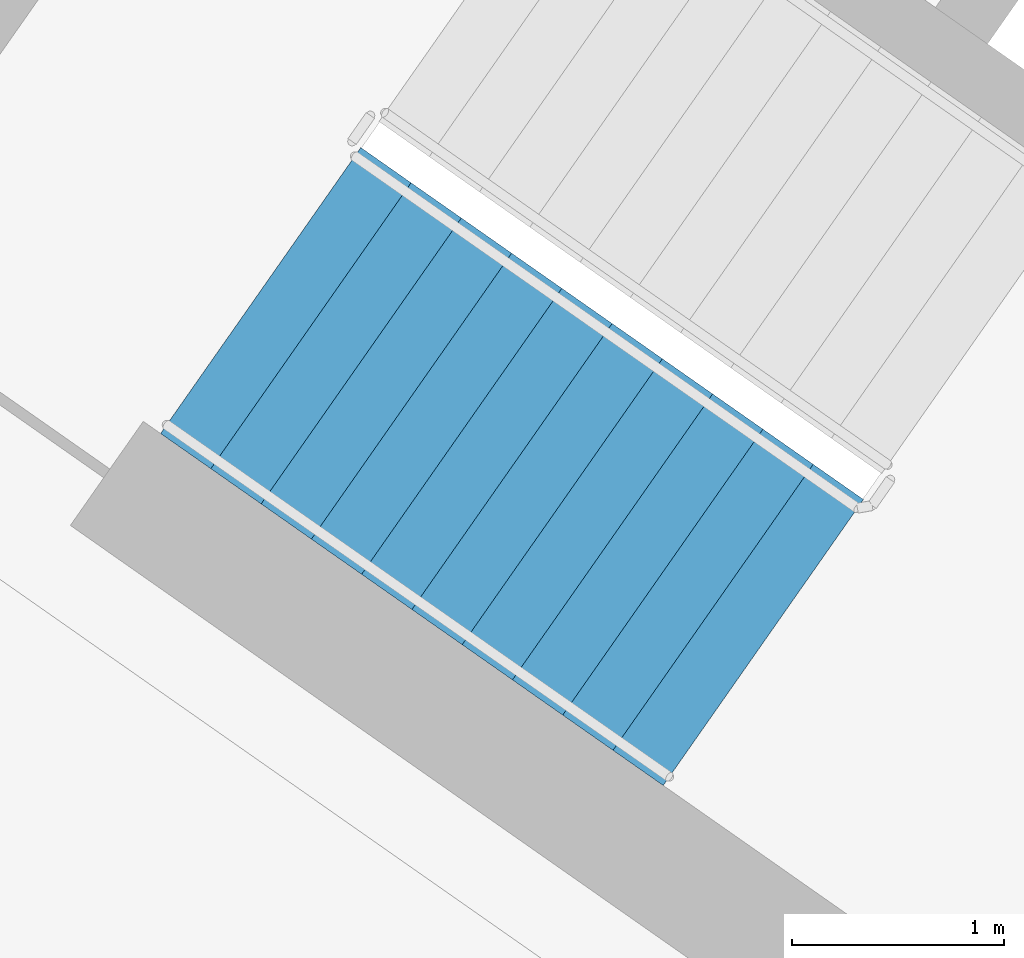
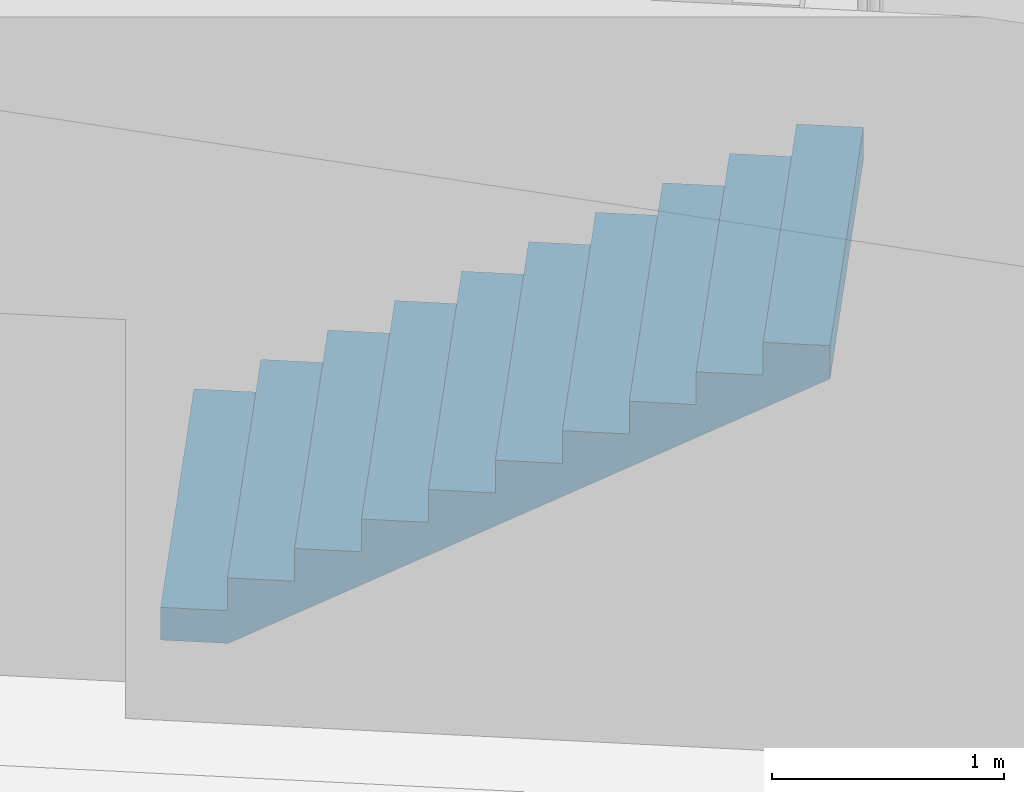
# One storey, part 9 of 29: 1 stair flight, 1 element without a shape of its own.
"""IFC4 building model written with IfcOpenShell, lengths in metres."""

from ifc_helpers import new_model, si_unit, direction, frame, origin, place, context, subcontext, project, spatial, faceted_brep, material, type_object, element, aggregate, save


model = new_model("IFC4")

# Units and contexts
model_context = context("Model", 3, precision=1e-05, world=origin(), true_north=direction((0.0, 1.0)))
body_context = subcontext(model_context, "Body", "Model", "MODEL_VIEW")
ifc_project = project(units=[si_unit("LENGTHUNIT", "METRE"), si_unit("AREAUNIT", "SQUARE_METRE"), si_unit("VOLUMEUNIT", "CUBIC_METRE"), si_unit("PLANEANGLEUNIT", "RADIAN"), si_unit("MASSUNIT", "GRAM", prefix="KILO")], contexts=[model_context])

# Site, building, storey
site_placement = place(None, origin())
site = spatial("IfcSite", under=ifc_project, at=site_placement, CompositionType="ELEMENT")
building_placement = place(site_placement, origin())
building = spatial("IfcBuilding", under=site, at=building_placement, Name="Qamariyya Broadcast Tower", CompositionType="ELEMENT")
storey_placement = place(building_placement, frame((0.0, 0.0, 261.89990234375)))
storey = spatial("IfcBuildingStorey", under=building, at=storey_placement, Name="L63", CompositionType="ELEMENT", Elevation=261.89990234375)

# Stair, stair flight
ifc_material = material(Name="Concrete C50/60", Category="concrete")
stair_type = type_object("IfcStairType", Name="Exit stair 22 risers of 173 mm", PredefinedType="HALF_TURN_STAIR", material=ifc_material)
stair_placement = place(storey_placement, origin())
stair = element("IfcStair", 1, at=stair_placement, inside=storey, type_object=stair_type, Name="L63 Stair W1", PredefinedType="HALF_TURN_STAIR")
stair_flight_type = type_object("IfcStairFlightType", Name="Exit stair flight 11 risers of 173 mm", PredefinedType="STRAIGHT", material=ifc_material)
stair_flight_placement = place(storey_placement, frame((-47.06884765625, -56.982666015625, 0.0), z_axis=(0.0, 0.0, 1.0), x_axis=(0.819152044289, -0.573576436351, 0.0)))
stair_flight = element("IfcStairFlight", 2, at=stair_flight_placement, type_object=stair_flight_type, Name="ST-W1 flight 1", NumberOfRisers=11, NumberOfTreads=10, PredefinedType="STRAIGHT", RiserHeight=0.172727273, TreadLength=0.29, context=body_context, shape_type="Brep", body=[
    faceted_brep([(0.0, 0.824951171875, 0.0), (0.0, 0.824951171875, 0.172607421875), (0.2900390625, 0.824951171875, 0.172607421875), (0.2900390625, 0.824951171875, 0.345458984375), (0.580078125, 0.824951171875, 0.345458984375), (0.580078125, 0.824951171875, 0.51806640625), (0.8701171875, 0.824951171875, 0.51806640625), (0.8701171875, 0.824951171875, 0.69091796875), (1.159912109375, 0.824951171875, 0.69091796875), (1.159912109375, 0.824951171875, 0.863525390625), (1.449951171875, 0.824951171875, 0.863525390625), (1.449951171875, 0.824951171875, 1.036376953125), (1.739990234375, 0.824951171875, 1.036376953125), (1.739990234375, 0.824951171875, 1.208984375), (2.030029296875, 0.824951171875, 1.208984375), (2.030029296875, 0.824951171875, 1.3818359375), (2.320068359375, 0.824951171875, 1.3818359375), (2.320068359375, 0.824951171875, 1.554443359375), (2.610107421875, 0.824951171875, 1.554443359375), (2.610107421875, 0.824951171875, 1.727294921875), (2.89990234375, 0.824951171875, 1.727294921875), (2.89990234375, 0.824951171875, 1.552734375), (0.29296875, 0.824951171875, 0.0), (0.29296875, -0.824951171875, 0.0), (2.89990234375, -0.824951171875, 1.552734375), (2.89990234375, -0.824951171875, 1.727294921875), (2.610107421875, -0.824951171875, 1.727294921875), (2.610107421875, -0.824951171875, 1.554443359375), (2.320068359375, -0.824951171875, 1.554443359375), (2.320068359375, -0.824951171875, 1.3818359375), (2.030029296875, -0.824951171875, 1.3818359375), (2.030029296875, -0.824951171875, 1.208984375), (1.739990234375, -0.824951171875, 1.208984375), (1.739990234375, -0.824951171875, 1.036376953125), (1.449951171875, -0.824951171875, 1.036376953125), (1.449951171875, -0.824951171875, 0.863525390625), (1.159912109375, -0.824951171875, 0.863525390625), (1.159912109375, -0.824951171875, 0.69091796875), (0.8701171875, -0.824951171875, 0.69091796875), (0.8701171875, -0.824951171875, 0.51806640625), (0.580078125, -0.824951171875, 0.51806640625), (0.580078125, -0.824951171875, 0.345458984375), (0.2900390625, -0.824951171875, 0.345458984375), (0.2900390625, -0.824951171875, 0.172607421875), (0.0, -0.824951171875, 0.172607421875), (0.0, -0.824951171875, 0.0), (0.0, 0.10009765625, 0.0), (0.0, 0.086669921875, 0.0), (0.0, 0.0732421875, 0.0), (0.0, 0.06005859375, 0.0), (0.0, 0.046630859375, 0.0), (0.0, 0.033447265625, 0.0), (0.0, 0.02001953125, 0.0), (0.0, 0.006591796875, 0.0), (0.0, -0.006591796875, 0.0), (0.0, -0.02001953125, 0.0), (0.0, -0.033447265625, 0.0), (0.0, -0.046630859375, 0.0), (0.0, -0.06005859375, 0.0), (0.0, -0.0732421875, 0.0), (0.0, -0.086669921875, 0.0), (0.0, -0.10009765625, 0.0), (0.0, -0.10009765625, 0.172607421875), (0.0, -0.086669921875, 0.172607421875), (0.0, -0.0732421875, 0.172607421875), (0.0, -0.06005859375, 0.172607421875), (0.0, -0.046630859375, 0.172607421875), (0.0, -0.033447265625, 0.172607421875), (0.0, -0.02001953125, 0.172607421875), (0.0, -0.006591796875, 0.172607421875), (0.0, 0.006591796875, 0.172607421875), (0.0, 0.02001953125, 0.172607421875), (0.0, 0.033447265625, 0.172607421875), (0.0, 0.046630859375, 0.172607421875), (0.0, 0.06005859375, 0.172607421875), (0.0, 0.0732421875, 0.172607421875), (0.0, 0.086669921875, 0.172607421875), (0.0, 0.10009765625, 0.172607421875), (0.2900390625, -0.10009765625, 0.172607421875), (0.2900390625, -0.086669921875, 0.172607421875), (0.2900390625, -0.0732421875, 0.172607421875), (0.2900390625, -0.06005859375, 0.172607421875), (0.2900390625, -0.046630859375, 0.172607421875), (0.2900390625, -0.033447265625, 0.172607421875), (0.2900390625, -0.02001953125, 0.172607421875), (0.2900390625, -0.006591796875, 0.172607421875), (0.2900390625, 0.006591796875, 0.172607421875), (0.2900390625, 0.02001953125, 0.172607421875), (0.2900390625, 0.033447265625, 0.172607421875), (0.2900390625, 0.046630859375, 0.172607421875), (0.2900390625, 0.06005859375, 0.172607421875), (0.2900390625, 0.0732421875, 0.172607421875), (0.2900390625, 0.086669921875, 0.172607421875), (0.2900390625, 0.10009765625, 0.172607421875), (0.2900390625, -0.10009765625, 0.345458984375), (0.2900390625, -0.086669921875, 0.345458984375), (0.2900390625, -0.0732421875, 0.345458984375), (0.2900390625, -0.06005859375, 0.345458984375), (0.2900390625, -0.046630859375, 0.345458984375), (0.2900390625, -0.033447265625, 0.345458984375), (0.2900390625, -0.02001953125, 0.345458984375), (0.2900390625, -0.006591796875, 0.345458984375), (0.2900390625, 0.006591796875, 0.345458984375), (0.2900390625, 0.02001953125, 0.345458984375), (0.2900390625, 0.033447265625, 0.345458984375), (0.2900390625, 0.046630859375, 0.345458984375), (0.2900390625, 0.06005859375, 0.345458984375), (0.2900390625, 0.0732421875, 0.345458984375), (0.2900390625, 0.086669921875, 0.345458984375), (0.2900390625, 0.10009765625, 0.345458984375), (0.580078125, -0.10009765625, 0.345458984375), (0.580078125, -0.086669921875, 0.345458984375), (0.580078125, -0.0732421875, 0.345458984375), (0.580078125, -0.06005859375, 0.345458984375), (0.580078125, -0.046630859375, 0.345458984375), (0.580078125, -0.033447265625, 0.345458984375), (0.580078125, -0.02001953125, 0.345458984375), (0.580078125, -0.006591796875, 0.345458984375), (0.580078125, 0.006591796875, 0.345458984375), (0.580078125, 0.02001953125, 0.345458984375), (0.580078125, 0.033447265625, 0.345458984375), (0.580078125, 0.046630859375, 0.345458984375), (0.580078125, 0.06005859375, 0.345458984375), (0.580078125, 0.0732421875, 0.345458984375), (0.580078125, 0.086669921875, 0.345458984375), (0.580078125, 0.10009765625, 0.345458984375), (0.580078125, -0.10009765625, 0.51806640625), (0.580078125, -0.086669921875, 0.51806640625), (0.580078125, -0.0732421875, 0.51806640625), (0.580078125, -0.06005859375, 0.51806640625), (0.580078125, -0.046630859375, 0.51806640625), (0.580078125, -0.033447265625, 0.51806640625), (0.580078125, -0.02001953125, 0.51806640625), (0.580078125, -0.006591796875, 0.51806640625), (0.580078125, 0.006591796875, 0.51806640625), (0.580078125, 0.02001953125, 0.51806640625), (0.580078125, 0.033447265625, 0.51806640625), (0.580078125, 0.046630859375, 0.51806640625), (0.580078125, 0.06005859375, 0.51806640625), (0.580078125, 0.0732421875, 0.51806640625), (0.580078125, 0.086669921875, 0.51806640625), (0.580078125, 0.10009765625, 0.51806640625), (0.8701171875, -0.10009765625, 0.51806640625), (0.8701171875, -0.086669921875, 0.51806640625), (0.8701171875, -0.0732421875, 0.51806640625), (0.8701171875, -0.06005859375, 0.51806640625), (0.8701171875, -0.046630859375, 0.51806640625), (0.8701171875, -0.033447265625, 0.51806640625), (0.8701171875, -0.02001953125, 0.51806640625), (0.8701171875, -0.006591796875, 0.51806640625), (0.8701171875, 0.006591796875, 0.51806640625), (0.8701171875, 0.02001953125, 0.51806640625), (0.8701171875, 0.033447265625, 0.51806640625), (0.8701171875, 0.046630859375, 0.51806640625), (0.8701171875, 0.06005859375, 0.51806640625), (0.8701171875, 0.0732421875, 0.51806640625), (0.8701171875, 0.086669921875, 0.51806640625), (0.8701171875, 0.10009765625, 0.51806640625), (0.8701171875, -0.10009765625, 0.69091796875), (0.8701171875, -0.086669921875, 0.69091796875), (0.8701171875, -0.0732421875, 0.69091796875), (0.8701171875, -0.06005859375, 0.69091796875), (0.8701171875, -0.046630859375, 0.69091796875), (0.8701171875, -0.033447265625, 0.69091796875), (0.8701171875, -0.02001953125, 0.69091796875), (0.8701171875, -0.006591796875, 0.69091796875), (0.8701171875, 0.006591796875, 0.69091796875), (0.8701171875, 0.02001953125, 0.69091796875), (0.8701171875, 0.033447265625, 0.69091796875), (0.8701171875, 0.046630859375, 0.69091796875), (0.8701171875, 0.06005859375, 0.69091796875), (0.8701171875, 0.0732421875, 0.69091796875), (0.8701171875, 0.086669921875, 0.69091796875), (0.8701171875, 0.10009765625, 0.69091796875), (1.159912109375, -0.10009765625, 0.69091796875), (1.159912109375, -0.086669921875, 0.69091796875), (1.159912109375, -0.0732421875, 0.69091796875), (1.159912109375, -0.06005859375, 0.69091796875), (1.159912109375, -0.046630859375, 0.69091796875), (1.159912109375, -0.033447265625, 0.69091796875), (1.159912109375, -0.02001953125, 0.69091796875), (1.159912109375, -0.006591796875, 0.69091796875), (1.159912109375, 0.006591796875, 0.69091796875), (1.159912109375, 0.02001953125, 0.69091796875), (1.159912109375, 0.033447265625, 0.69091796875), (1.159912109375, 0.046630859375, 0.69091796875), (1.159912109375, 0.06005859375, 0.69091796875), (1.159912109375, 0.0732421875, 0.69091796875), (1.159912109375, 0.086669921875, 0.69091796875), (1.159912109375, 0.10009765625, 0.69091796875), (1.159912109375, -0.10009765625, 0.863525390625), (1.159912109375, -0.086669921875, 0.863525390625), (1.159912109375, -0.0732421875, 0.863525390625), (1.159912109375, -0.06005859375, 0.863525390625), (1.159912109375, -0.046630859375, 0.863525390625), (1.159912109375, -0.033447265625, 0.863525390625), (1.159912109375, -0.02001953125, 0.863525390625), (1.159912109375, -0.006591796875, 0.863525390625), (1.159912109375, 0.006591796875, 0.863525390625), (1.159912109375, 0.02001953125, 0.863525390625), (1.159912109375, 0.033447265625, 0.863525390625), (1.159912109375, 0.046630859375, 0.863525390625), (1.159912109375, 0.06005859375, 0.863525390625), (1.159912109375, 0.0732421875, 0.863525390625), (1.159912109375, 0.086669921875, 0.863525390625), (1.159912109375, 0.10009765625, 0.863525390625), (1.449951171875, -0.10009765625, 0.863525390625), (1.449951171875, -0.086669921875, 0.863525390625), (1.449951171875, -0.0732421875, 0.863525390625), (1.449951171875, -0.06005859375, 0.863525390625), (1.449951171875, -0.046630859375, 0.863525390625), (1.449951171875, -0.033447265625, 0.863525390625), (1.449951171875, -0.02001953125, 0.863525390625), (1.449951171875, -0.006591796875, 0.863525390625), (1.449951171875, 0.006591796875, 0.863525390625), (1.449951171875, 0.02001953125, 0.863525390625), (1.449951171875, 0.033447265625, 0.863525390625), (1.449951171875, 0.046630859375, 0.863525390625), (1.449951171875, 0.06005859375, 0.863525390625), (1.449951171875, 0.0732421875, 0.863525390625), (1.449951171875, 0.086669921875, 0.863525390625), (1.449951171875, 0.10009765625, 0.863525390625), (1.449951171875, -0.10009765625, 1.036376953125), (1.449951171875, -0.086669921875, 1.036376953125), (1.449951171875, -0.0732421875, 1.036376953125), (1.449951171875, -0.06005859375, 1.036376953125), (1.449951171875, -0.046630859375, 1.036376953125), (1.449951171875, -0.033447265625, 1.036376953125), (1.449951171875, -0.02001953125, 1.036376953125), (1.449951171875, -0.006591796875, 1.036376953125), (1.449951171875, 0.006591796875, 1.036376953125), (1.449951171875, 0.02001953125, 1.036376953125), (1.449951171875, 0.033447265625, 1.036376953125), (1.449951171875, 0.046630859375, 1.036376953125), (1.449951171875, 0.06005859375, 1.036376953125), (1.449951171875, 0.0732421875, 1.036376953125), (1.449951171875, 0.086669921875, 1.036376953125), (1.449951171875, 0.10009765625, 1.036376953125), (1.739990234375, -0.10009765625, 1.036376953125), (1.739990234375, -0.086669921875, 1.036376953125), (1.739990234375, -0.0732421875, 1.036376953125), (1.739990234375, -0.06005859375, 1.036376953125), (1.739990234375, -0.046630859375, 1.036376953125), (1.739990234375, -0.033447265625, 1.036376953125), (1.739990234375, -0.02001953125, 1.036376953125), (1.739990234375, -0.006591796875, 1.036376953125), (1.739990234375, 0.006591796875, 1.036376953125), (1.739990234375, 0.02001953125, 1.036376953125), (1.739990234375, 0.033447265625, 1.036376953125), (1.739990234375, 0.046630859375, 1.036376953125), (1.739990234375, 0.06005859375, 1.036376953125), (1.739990234375, 0.0732421875, 1.036376953125), (1.739990234375, 0.086669921875, 1.036376953125), (1.739990234375, 0.10009765625, 1.036376953125), (1.739990234375, -0.10009765625, 1.208984375), (1.739990234375, -0.086669921875, 1.208984375), (1.739990234375, -0.0732421875, 1.208984375), (1.739990234375, -0.06005859375, 1.208984375), (1.739990234375, -0.046630859375, 1.208984375), (1.739990234375, -0.033447265625, 1.208984375), (1.739990234375, -0.02001953125, 1.208984375), (1.739990234375, -0.006591796875, 1.208984375), (1.739990234375, 0.006591796875, 1.208984375), (1.739990234375, 0.02001953125, 1.208984375), (1.739990234375, 0.033447265625, 1.208984375), (1.739990234375, 0.046630859375, 1.208984375), (1.739990234375, 0.06005859375, 1.208984375), (1.739990234375, 0.0732421875, 1.208984375), (1.739990234375, 0.086669921875, 1.208984375), (1.739990234375, 0.10009765625, 1.208984375), (2.030029296875, -0.10009765625, 1.208984375), (2.030029296875, -0.086669921875, 1.208984375), (2.030029296875, -0.0732421875, 1.208984375), (2.030029296875, -0.06005859375, 1.208984375), (2.030029296875, -0.046630859375, 1.208984375), (2.030029296875, -0.033447265625, 1.208984375), (2.030029296875, -0.02001953125, 1.208984375), (2.030029296875, -0.006591796875, 1.208984375), (2.030029296875, 0.006591796875, 1.208984375), (2.030029296875, 0.02001953125, 1.208984375), (2.030029296875, 0.033447265625, 1.208984375), (2.030029296875, 0.046630859375, 1.208984375), (2.030029296875, 0.06005859375, 1.208984375), (2.030029296875, 0.0732421875, 1.208984375), (2.030029296875, 0.086669921875, 1.208984375), (2.030029296875, 0.10009765625, 1.208984375), (2.030029296875, -0.10009765625, 1.3818359375), (2.030029296875, -0.086669921875, 1.3818359375), (2.030029296875, -0.0732421875, 1.3818359375), (2.030029296875, -0.06005859375, 1.3818359375), (2.030029296875, -0.046630859375, 1.3818359375), (2.030029296875, -0.033447265625, 1.3818359375), (2.030029296875, -0.02001953125, 1.3818359375), (2.030029296875, -0.006591796875, 1.3818359375), (2.030029296875, 0.006591796875, 1.3818359375), (2.030029296875, 0.02001953125, 1.3818359375), (2.030029296875, 0.033447265625, 1.3818359375), (2.030029296875, 0.046630859375, 1.3818359375), (2.030029296875, 0.06005859375, 1.3818359375), (2.030029296875, 0.0732421875, 1.3818359375), (2.030029296875, 0.086669921875, 1.3818359375), (2.030029296875, 0.10009765625, 1.3818359375), (2.320068359375, -0.10009765625, 1.3818359375), (2.320068359375, -0.086669921875, 1.3818359375), (2.320068359375, -0.0732421875, 1.3818359375), (2.320068359375, -0.06005859375, 1.3818359375), (2.320068359375, -0.046630859375, 1.3818359375), (2.320068359375, -0.033447265625, 1.3818359375), (2.320068359375, -0.02001953125, 1.3818359375), (2.320068359375, -0.006591796875, 1.3818359375), (2.320068359375, 0.006591796875, 1.3818359375), (2.320068359375, 0.02001953125, 1.3818359375), (2.320068359375, 0.033447265625, 1.3818359375), (2.320068359375, 0.046630859375, 1.3818359375), (2.320068359375, 0.06005859375, 1.3818359375), (2.320068359375, 0.0732421875, 1.3818359375), (2.320068359375, 0.086669921875, 1.3818359375), (2.320068359375, 0.10009765625, 1.3818359375), (2.320068359375, -0.10009765625, 1.554443359375), (2.320068359375, -0.086669921875, 1.554443359375), (2.320068359375, -0.0732421875, 1.554443359375), (2.320068359375, -0.06005859375, 1.554443359375), (2.320068359375, -0.046630859375, 1.554443359375), (2.320068359375, -0.033447265625, 1.554443359375), (2.320068359375, -0.02001953125, 1.554443359375), (2.320068359375, -0.006591796875, 1.554443359375), (2.320068359375, 0.006591796875, 1.554443359375), (2.320068359375, 0.02001953125, 1.554443359375), (2.320068359375, 0.033447265625, 1.554443359375), (2.320068359375, 0.046630859375, 1.554443359375), (2.320068359375, 0.06005859375, 1.554443359375), (2.320068359375, 0.0732421875, 1.554443359375), (2.320068359375, 0.086669921875, 1.554443359375), (2.320068359375, 0.10009765625, 1.554443359375), (2.610107421875, -0.10009765625, 1.554443359375), (2.610107421875, -0.086669921875, 1.554443359375), (2.610107421875, -0.0732421875, 1.554443359375), (2.610107421875, -0.06005859375, 1.554443359375), (2.610107421875, -0.046630859375, 1.554443359375), (2.610107421875, -0.033447265625, 1.554443359375), (2.610107421875, -0.02001953125, 1.554443359375), (2.610107421875, -0.006591796875, 1.554443359375), (2.610107421875, 0.006591796875, 1.554443359375), (2.610107421875, 0.02001953125, 1.554443359375), (2.610107421875, 0.033447265625, 1.554443359375), (2.610107421875, 0.046630859375, 1.554443359375), (2.610107421875, 0.06005859375, 1.554443359375), (2.610107421875, 0.0732421875, 1.554443359375), (2.610107421875, 0.086669921875, 1.554443359375), (2.610107421875, 0.10009765625, 1.554443359375), (2.610107421875, -0.10009765625, 1.727294921875), (2.610107421875, -0.086669921875, 1.727294921875), (2.610107421875, -0.0732421875, 1.727294921875), (2.610107421875, -0.06005859375, 1.727294921875), (2.610107421875, -0.046630859375, 1.727294921875), (2.610107421875, -0.033447265625, 1.727294921875), (2.610107421875, -0.02001953125, 1.727294921875), (2.610107421875, -0.006591796875, 1.727294921875), (2.610107421875, 0.006591796875, 1.727294921875), (2.610107421875, 0.02001953125, 1.727294921875), (2.610107421875, 0.033447265625, 1.727294921875), (2.610107421875, 0.046630859375, 1.727294921875), (2.610107421875, 0.06005859375, 1.727294921875), (2.610107421875, 0.0732421875, 1.727294921875), (2.610107421875, 0.086669921875, 1.727294921875), (2.610107421875, 0.10009765625, 1.727294921875), (2.89990234375, -0.10009765625, 1.727294921875), (2.89990234375, -0.086669921875, 1.727294921875), (2.89990234375, -0.0732421875, 1.727294921875), (2.89990234375, -0.06005859375, 1.727294921875), (2.89990234375, -0.046630859375, 1.727294921875), (2.89990234375, -0.033447265625, 1.727294921875), (2.89990234375, -0.02001953125, 1.727294921875), (2.89990234375, -0.006591796875, 1.727294921875), (2.89990234375, 0.006591796875, 1.727294921875), (2.89990234375, 0.02001953125, 1.727294921875), (2.89990234375, 0.033447265625, 1.727294921875), (2.89990234375, 0.046630859375, 1.727294921875), (2.89990234375, 0.06005859375, 1.727294921875), (2.89990234375, 0.0732421875, 1.727294921875), (2.89990234375, 0.086669921875, 1.727294921875), (2.89990234375, 0.10009765625, 1.727294921875), (2.89990234375, -0.10009765625, 1.552734375), (2.89990234375, -0.086669921875, 1.552734375), (2.89990234375, -0.0732421875, 1.552734375), (2.89990234375, -0.06005859375, 1.552734375), (2.89990234375, -0.046630859375, 1.552734375), (2.89990234375, -0.033447265625, 1.552734375), (2.89990234375, -0.02001953125, 1.552734375), (2.89990234375, -0.006591796875, 1.552734375), (2.89990234375, 0.006591796875, 1.552734375), (2.89990234375, 0.02001953125, 1.552734375), (2.89990234375, 0.033447265625, 1.552734375), (2.89990234375, 0.046630859375, 1.552734375), (2.89990234375, 0.06005859375, 1.552734375), (2.89990234375, 0.0732421875, 1.552734375), (2.89990234375, 0.086669921875, 1.552734375), (2.89990234375, 0.10009765625, 1.552734375), (0.29296875, -0.10009765625, 0.0), (0.29296875, -0.086669921875, 0.0), (0.29296875, -0.0732421875, 0.0), (0.29296875, -0.06005859375, 0.0), (0.29296875, -0.046630859375, 0.0), (0.29296875, -0.033447265625, 0.0), (0.29296875, -0.02001953125, 0.0), (0.29296875, -0.006591796875, 0.0), (0.29296875, 0.006591796875, 0.0), (0.29296875, 0.02001953125, 0.0), (0.29296875, 0.033447265625, 0.0), (0.29296875, 0.046630859375, 0.0), (0.29296875, 0.06005859375, 0.0), (0.29296875, 0.0732421875, 0.0), (0.29296875, 0.086669921875, 0.0), (0.29296875, 0.10009765625, 0.0)], [[[0, 1, 2, 3, 4, 5, 6, 7, 8, 9, 10, 11, 12, 13, 14, 15, 16, 17, 18, 19, 20, 21, 22]], [[23, 24, 25, 26, 27, 28, 29, 30, 31, 32, 33, 34, 35, 36, 37, 38, 39, 40, 41, 42, 43, 44, 45]], [[0, 46, 47, 48, 49, 50, 51, 52, 53, 54, 55, 56, 57, 58, 59, 60, 61, 45, 44, 62, 63, 64, 65, 66, 67, 68, 69, 70, 71, 72, 73, 74, 75, 76, 77, 1]], [[1, 77, 76, 75, 74, 73, 72, 71, 70, 69, 68, 67, 66, 65, 64, 63, 62, 44, 43, 78, 79, 80, 81, 82, 83, 84, 85, 86, 87, 88, 89, 90, 91, 92, 93, 2]], [[2, 93, 92, 91, 90, 89, 88, 87, 86, 85, 84, 83, 82, 81, 80, 79, 78, 43, 42, 94, 95, 96, 97, 98, 99, 100, 101, 102, 103, 104, 105, 106, 107, 108, 109, 3]], [[3, 109, 108, 107, 106, 105, 104, 103, 102, 101, 100, 99, 98, 97, 96, 95, 94, 42, 41, 110, 111, 112, 113, 114, 115, 116, 117, 118, 119, 120, 121, 122, 123, 124, 125, 4]], [[4, 125, 124, 123, 122, 121, 120, 119, 118, 117, 116, 115, 114, 113, 112, 111, 110, 41, 40, 126, 127, 128, 129, 130, 131, 132, 133, 134, 135, 136, 137, 138, 139, 140, 141, 5]], [[5, 141, 140, 139, 138, 137, 136, 135, 134, 133, 132, 131, 130, 129, 128, 127, 126, 40, 39, 142, 143, 144, 145, 146, 147, 148, 149, 150, 151, 152, 153, 154, 155, 156, 157, 6]], [[6, 157, 156, 155, 154, 153, 152, 151, 150, 149, 148, 147, 146, 145, 144, 143, 142, 39, 38, 158, 159, 160, 161, 162, 163, 164, 165, 166, 167, 168, 169, 170, 171, 172, 173, 7]], [[7, 173, 172, 171, 170, 169, 168, 167, 166, 165, 164, 163, 162, 161, 160, 159, 158, 38, 37, 174, 175, 176, 177, 178, 179, 180, 181, 182, 183, 184, 185, 186, 187, 188, 189, 8]], [[8, 189, 188, 187, 186, 185, 184, 183, 182, 181, 180, 179, 178, 177, 176, 175, 174, 37, 36, 190, 191, 192, 193, 194, 195, 196, 197, 198, 199, 200, 201, 202, 203, 204, 205, 9]], [[9, 205, 204, 203, 202, 201, 200, 199, 198, 197, 196, 195, 194, 193, 192, 191, 190, 36, 35, 206, 207, 208, 209, 210, 211, 212, 213, 214, 215, 216, 217, 218, 219, 220, 221, 10]], [[10, 221, 220, 219, 218, 217, 216, 215, 214, 213, 212, 211, 210, 209, 208, 207, 206, 35, 34, 222, 223, 224, 225, 226, 227, 228, 229, 230, 231, 232, 233, 234, 235, 236, 237, 11]], [[11, 237, 236, 235, 234, 233, 232, 231, 230, 229, 228, 227, 226, 225, 224, 223, 222, 34, 33, 238, 239, 240, 241, 242, 243, 244, 245, 246, 247, 248, 249, 250, 251, 252, 253, 12]], [[12, 253, 252, 251, 250, 249, 248, 247, 246, 245, 244, 243, 242, 241, 240, 239, 238, 33, 32, 254, 255, 256, 257, 258, 259, 260, 261, 262, 263, 264, 265, 266, 267, 268, 269, 13]], [[13, 269, 268, 267, 266, 265, 264, 263, 262, 261, 260, 259, 258, 257, 256, 255, 254, 32, 31, 270, 271, 272, 273, 274, 275, 276, 277, 278, 279, 280, 281, 282, 283, 284, 285, 14]], [[14, 285, 284, 283, 282, 281, 280, 279, 278, 277, 276, 275, 274, 273, 272, 271, 270, 31, 30, 286, 287, 288, 289, 290, 291, 292, 293, 294, 295, 296, 297, 298, 299, 300, 301, 15]], [[15, 301, 300, 299, 298, 297, 296, 295, 294, 293, 292, 291, 290, 289, 288, 287, 286, 30, 29, 302, 303, 304, 305, 306, 307, 308, 309, 310, 311, 312, 313, 314, 315, 316, 317, 16]], [[16, 317, 316, 315, 314, 313, 312, 311, 310, 309, 308, 307, 306, 305, 304, 303, 302, 29, 28, 318, 319, 320, 321, 322, 323, 324, 325, 326, 327, 328, 329, 330, 331, 332, 333, 17]], [[17, 333, 332, 331, 330, 329, 328, 327, 326, 325, 324, 323, 322, 321, 320, 319, 318, 28, 27, 334, 335, 336, 337, 338, 339, 340, 341, 342, 343, 344, 345, 346, 347, 348, 349, 18]], [[18, 349, 348, 347, 346, 345, 344, 343, 342, 341, 340, 339, 338, 337, 336, 335, 334, 27, 26, 350, 351, 352, 353, 354, 355, 356, 357, 358, 359, 360, 361, 362, 363, 364, 365, 19]], [[19, 365, 364, 363, 362, 361, 360, 359, 358, 357, 356, 355, 354, 353, 352, 351, 350, 26, 25, 366, 367, 368, 369, 370, 371, 372, 373, 374, 375, 376, 377, 378, 379, 380, 381, 20]], [[20, 381, 380, 379, 378, 377, 376, 375, 374, 373, 372, 371, 370, 369, 368, 367, 366, 25, 24, 382, 383, 384, 385, 386, 387, 388, 389, 390, 391, 392, 393, 394, 395, 396, 397, 21]], [[21, 397, 396, 395, 394, 393, 392, 391, 390, 389, 388, 387, 386, 385, 384, 383, 382, 24, 23, 398, 399, 400, 401, 402, 403, 404, 405, 406, 407, 408, 409, 410, 411, 412, 413, 22]], [[22, 413, 412, 411, 410, 409, 408, 407, 406, 405, 404, 403, 402, 401, 400, 399, 398, 23, 45, 61, 60, 59, 58, 57, 56, 55, 54, 53, 52, 51, 50, 49, 48, 47, 46, 0]]]),
])
aggregate(stair, [stair_flight])

save(model, "model.ifc")
